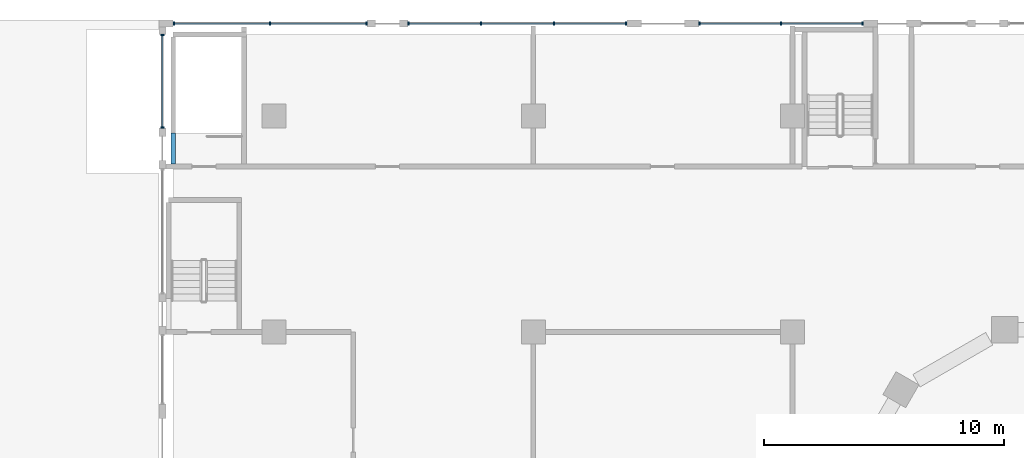
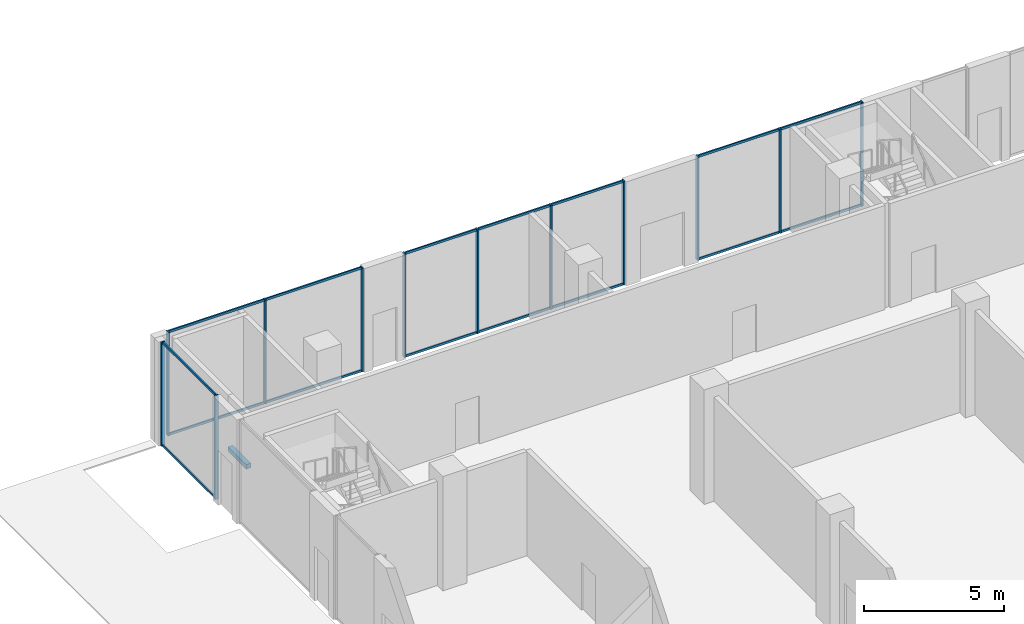
# One storey, part 12 of 57: 28 members, 1 beam, 4 elements without a shape of their own.
"""IFC4 building model written with IfcOpenShell, lengths in metres."""

from ifc_helpers import new_model, si_unit, direction, frame, origin, origin_2d, place, context, subcontext, project, spatial, rectangle, hollow_rectangle, extrude, material, material_profile, profile_set, type_object, element, aggregate, save


model = new_model("IFC4")

# Units and contexts
model_context = context("Model", 3, precision=1e-05, world=origin(), true_north=direction((0.0, 1.0)))
body_context = subcontext(model_context, "Body", "Model", "MODEL_VIEW")
ifc_project = project(units=[si_unit("LENGTHUNIT", "METRE"), si_unit("AREAUNIT", "SQUARE_METRE"), si_unit("VOLUMEUNIT", "CUBIC_METRE"), si_unit("PLANEANGLEUNIT", "RADIAN"), si_unit("MASSUNIT", "GRAM", prefix="KILO")], contexts=[model_context])

# Site, building, storey
site_placement = place(None, origin())
site = spatial("IfcSite", under=ifc_project, at=site_placement, CompositionType="ELEMENT")
building_placement = place(site_placement, origin())
building = spatial("IfcBuilding", under=site, at=building_placement, Name="Beryl Residences", CompositionType="ELEMENT")
storey_placement = place(building_placement, origin())
storey = spatial("IfcBuildingStorey", under=building, at=storey_placement, Name="L00", CompositionType="ELEMENT", Elevation=0.0)

# Curtain wall, members
ifc_material_1 = material(Name="Aluminium and clear glass", Category="aluminium")
curtain_wall_type = type_object("IfcCurtainWallType", Name="CW1 shopfront glazed wall", PredefinedType="NOTDEFINED", material=ifc_material_1)
curtain_wall_1_placement = place(storey_placement, origin())
curtain_wall_1 = element("IfcCurtainWall", 1, at=curtain_wall_1_placement, inside=storey, type_object=curtain_wall_type, Name="CW1 L00 N", PredefinedType="NOTDEFINED")
ifc_material_2 = material(Name="Aluminium", Category="aluminium")
ifc_material_profile_1 = material_profile(ifc_material_2, rectangle(XDim=0.06005859375, YDim=0.14990234375, at=origin_2d()))
ifc_profile_set_1 = profile_set([ifc_material_profile_1], Name="Aluminium")
member_type_1 = type_object("IfcMemberType", Name="CW1-M mullion 60 x 150 mm", PredefinedType="MULLION", material=ifc_profile_set_1)
member_1_placement = place(storey_placement, frame((-18.679931640625, 39.85009765625, 0.0), z_axis=(0.0, 0.0, 1.0), x_axis=(-1.0, 0.0, 0.0)))
member_1 = element("IfcMember", 2, at=member_1_placement, type_object=member_type_1, Name="CW1 mullion 1", PredefinedType="MULLION", context=body_context, shape_type="SweptSolid", body=[
    extrude(rectangle(XDim=0.06005859375, YDim=0.14990234375, at=origin_2d()), origin(), (0.0, 0.0, 1.0), 4.550048828125),
])
member_2_placement = place(storey_placement, frame((-22.074951171875, 39.85009765625, 0.0), z_axis=(0.0, 0.0, 1.0), x_axis=(-1.0, 0.0, 0.0)))
member_2 = element("IfcMember", 3, at=member_2_placement, type_object=member_type_1, Name="CW1 mullion 2", PredefinedType="MULLION", context=body_context, shape_type="SweptSolid", body=[
    extrude(rectangle(XDim=0.06005859375, YDim=0.14990234375, at=origin_2d()), origin(), (0.0, 0.0, 1.0), 4.550048828125),
])
member_3_placement = place(storey_placement, frame((-25.469970703125, 39.85009765625, 0.0), z_axis=(0.0, 0.0, 1.0), x_axis=(-1.0, 0.0, 0.0)))
member_3 = element("IfcMember", 4, at=member_3_placement, type_object=member_type_1, Name="CW1 mullion 3", PredefinedType="MULLION", context=body_context, shape_type="SweptSolid", body=[
    extrude(rectangle(XDim=0.06005859375, YDim=0.14990234375, at=origin_2d()), origin(), (0.0, 0.0, 1.0), 4.550048828125),
])

curtain_wall_2_placement = place(storey_placement, origin())
curtain_wall_2 = element("IfcCurtainWall", 5, at=curtain_wall_2_placement, inside=storey, type_object=curtain_wall_type, Name="CW1 L00 N", PredefinedType="NOTDEFINED")
member_4_placement = place(storey_placement, frame((-28.530029296875, 39.85009765625, 0.0), z_axis=(0.0, 0.0, 1.0), x_axis=(-1.0, 0.0, 0.0)))
member_4 = element("IfcMember", 6, at=member_4_placement, type_object=member_type_1, Name="CW1 mullion 1", PredefinedType="MULLION", context=body_context, shape_type="SweptSolid", body=[
    extrude(rectangle(XDim=0.06005859375, YDim=0.14990234375, at=origin_2d()), origin(), (0.0, 0.0, 1.0), 4.550048828125),
])
member_5_placement = place(storey_placement, frame((-31.541748046875, 39.85009765625, 0.0), z_axis=(0.0, 0.0, 1.0), x_axis=(-1.0, 0.0, 0.0)))
member_5 = element("IfcMember", 7, at=member_5_placement, type_object=member_type_1, Name="CW1 mullion 2", PredefinedType="MULLION", context=body_context, shape_type="SweptSolid", body=[
    extrude(rectangle(XDim=0.06005859375, YDim=0.14990234375, at=origin_2d()), origin(), (0.0, 0.0, 1.0), 4.550048828125),
])
member_6_placement = place(storey_placement, frame((-34.583251953125, 39.85009765625, 0.0), z_axis=(0.0, 0.0, 1.0), x_axis=(-1.0, 0.0, 0.0)))
member_6 = element("IfcMember", 8, at=member_6_placement, type_object=member_type_1, Name="CW1 mullion 3", PredefinedType="MULLION", context=body_context, shape_type="SweptSolid", body=[
    extrude(rectangle(XDim=0.06005859375, YDim=0.14990234375, at=origin_2d()), origin(), (0.0, 0.0, 1.0), 4.550048828125),
])
member_7_placement = place(storey_placement, frame((-37.594970703125, 39.85009765625, 0.0), z_axis=(0.0, 0.0, 1.0), x_axis=(-1.0, 0.0, 0.0)))
member_7 = element("IfcMember", 9, at=member_7_placement, type_object=member_type_1, Name="CW1 mullion 4", PredefinedType="MULLION", context=body_context, shape_type="SweptSolid", body=[
    extrude(rectangle(XDim=0.06005859375, YDim=0.14990234375, at=origin_2d()), origin(), (0.0, 0.0, 1.0), 4.550048828125),
])

curtain_wall_3_placement = place(storey_placement, origin())
curtain_wall_3 = element("IfcCurtainWall", 10, at=curtain_wall_3_placement, inside=storey, type_object=curtain_wall_type, Name="CW1 L00 N", PredefinedType="NOTDEFINED")
member_8_placement = place(storey_placement, frame((-39.35498046875, 39.85009765625, 0.0), z_axis=(0.0, 0.0, 1.0), x_axis=(-1.0, 0.0, 0.0)))
member_8 = element("IfcMember", 11, at=member_8_placement, type_object=member_type_1, Name="CW1 mullion 1", PredefinedType="MULLION", context=body_context, shape_type="SweptSolid", body=[
    extrude(rectangle(XDim=0.06005859375, YDim=0.14990234375, at=origin_2d()), origin(), (0.0, 0.0, 1.0), 4.550048828125),
])
member_9_placement = place(storey_placement, frame((-43.362548828125, 39.85009765625, 0.0), z_axis=(0.0, 0.0, 1.0), x_axis=(-1.0, 0.0, 0.0)))
member_9 = element("IfcMember", 12, at=member_9_placement, type_object=member_type_1, Name="CW1 mullion 2", PredefinedType="MULLION", context=body_context, shape_type="SweptSolid", body=[
    extrude(rectangle(XDim=0.06005859375, YDim=0.14990234375, at=origin_2d()), origin(), (0.0, 0.0, 1.0), 4.550048828125),
])
member_10_placement = place(storey_placement, frame((-47.3701171875, 39.85009765625, 0.0), z_axis=(0.0, 0.0, 1.0), x_axis=(-1.0, 0.0, 0.0)))
member_10 = element("IfcMember", 13, at=member_10_placement, type_object=member_type_1, Name="CW1 mullion 3", PredefinedType="MULLION", context=body_context, shape_type="SweptSolid", body=[
    extrude(rectangle(XDim=0.06005859375, YDim=0.14990234375, at=origin_2d()), origin(), (0.0, 0.0, 1.0), 4.550048828125),
])

curtain_wall_4_placement = place(storey_placement, origin())
curtain_wall_4 = element("IfcCurtainWall", 14, at=curtain_wall_4_placement, inside=storey, type_object=curtain_wall_type, Name="CW1 L00 W", PredefinedType="NOTDEFINED")
member_11_placement = place(storey_placement, frame((-47.85009765625, 39.3701171875, 0.0), z_axis=(0.0, 0.0, 1.0), x_axis=(0.0, -1.0, 0.0)))
member_11 = element("IfcMember", 15, at=member_11_placement, type_object=member_type_1, Name="CW1 mullion 1", PredefinedType="MULLION", context=body_context, shape_type="SweptSolid", body=[
    extrude(rectangle(XDim=0.06005859375, YDim=0.14990234375, at=origin_2d()), origin(), (0.0, 0.0, 1.0), 4.550048828125),
])
member_12_placement = place(storey_placement, frame((-47.85009765625, 35.530029296875, 0.0), z_axis=(0.0, 0.0, 1.0), x_axis=(0.0, -1.0, 0.0)))
member_12 = element("IfcMember", 16, at=member_12_placement, type_object=member_type_1, Name="CW1 mullion 2", PredefinedType="MULLION", context=body_context, shape_type="SweptSolid", body=[
    extrude(rectangle(XDim=0.06005859375, YDim=0.14990234375, at=origin_2d()), origin(), (0.0, 0.0, 1.0), 4.550048828125),
])

# Member
ifc_material_3 = material(Name="Aluminium", Category="aluminium")
ifc_material_profile_2 = material_profile(ifc_material_3, hollow_rectangle(XDim=0.06005859375, YDim=0.10009765625, WallThickness=0.00390625, at=origin_2d()))
ifc_profile_set_2 = profile_set([ifc_material_profile_2], Name="Aluminium")
member_type_2 = type_object("IfcMemberType", Name="CW1-T transom 60 x 100 mm", PredefinedType="USERDEFINED", material=ifc_profile_set_2)
member_13_placement = place(storey_placement, frame((-18.7099609375, 39.85009765625, 0.030029296875), z_axis=(-1.0, 0.0, 0.0), x_axis=(0.0, -1.0, 0.0)))
member_13 = element("IfcMember", 17, at=member_13_placement, type_object=member_type_2, Name="CW1 transom 1.1", ObjectType="TRANSOM", PredefinedType="USERDEFINED", context=body_context, shape_type="SweptSolid", body=[
    extrude(hollow_rectangle(XDim=0.06005859375, YDim=0.10009765625, WallThickness=0.00390625, at=origin_2d()), origin(), (0.0, 0.0, 1.0), 3.3349609375),
])

member_14_placement = place(storey_placement, frame((-18.7099609375, 39.85009765625, 4.52001953125), z_axis=(-1.0, 0.0, 0.0), x_axis=(0.0, -1.0, 0.0)))
member_14 = element("IfcMember", 18, at=member_14_placement, type_object=member_type_2, Name="CW1 transom 1.2", ObjectType="TRANSOM", PredefinedType="USERDEFINED", context=body_context, shape_type="SweptSolid", body=[
    extrude(hollow_rectangle(XDim=0.06005859375, YDim=0.10009765625, WallThickness=0.00390625, at=origin_2d()), origin(), (0.0, 0.0, 1.0), 3.3349609375),
])

member_15_placement = place(storey_placement, frame((-22.10498046875, 39.85009765625, 0.030029296875), z_axis=(-1.0, 0.0, 0.0), x_axis=(0.0, -1.0, 0.0)))
member_15 = element("IfcMember", 19, at=member_15_placement, type_object=member_type_2, Name="CW1 transom 2.1", ObjectType="TRANSOM", PredefinedType="USERDEFINED", context=body_context, shape_type="SweptSolid", body=[
    extrude(hollow_rectangle(XDim=0.06005859375, YDim=0.10009765625, WallThickness=0.00390625, at=origin_2d()), origin(), (0.0, 0.0, 1.0), 3.3349609375),
])

member_16_placement = place(storey_placement, frame((-22.10498046875, 39.85009765625, 4.52001953125), z_axis=(-1.0, 0.0, 0.0), x_axis=(0.0, -1.0, 0.0)))
member_16 = element("IfcMember", 20, at=member_16_placement, type_object=member_type_2, Name="CW1 transom 2.2", ObjectType="TRANSOM", PredefinedType="USERDEFINED", context=body_context, shape_type="SweptSolid", body=[
    extrude(hollow_rectangle(XDim=0.06005859375, YDim=0.10009765625, WallThickness=0.00390625, at=origin_2d()), origin(), (0.0, 0.0, 1.0), 3.3349609375),
])

aggregate(curtain_wall_1, [member_1, member_2, member_3, member_13, member_14, member_15, member_16])

member_17_placement = place(storey_placement, frame((-28.56005859375, 39.85009765625, 0.030029296875), z_axis=(-1.0, 0.0, 0.0), x_axis=(0.0, -1.0, 0.0)))
member_17 = element("IfcMember", 21, at=member_17_placement, type_object=member_type_2, Name="CW1 transom 1.1", ObjectType="TRANSOM", PredefinedType="USERDEFINED", context=body_context, shape_type="SweptSolid", body=[
    extrude(hollow_rectangle(XDim=0.06005859375, YDim=0.10009765625, WallThickness=0.00390625, at=origin_2d()), origin(), (0.0, 0.0, 1.0), 2.95166015625),
])

member_18_placement = place(storey_placement, frame((-28.56005859375, 39.85009765625, 4.52001953125), z_axis=(-1.0, 0.0, 0.0), x_axis=(0.0, -1.0, 0.0)))
member_18 = element("IfcMember", 22, at=member_18_placement, type_object=member_type_2, Name="CW1 transom 1.2", ObjectType="TRANSOM", PredefinedType="USERDEFINED", context=body_context, shape_type="SweptSolid", body=[
    extrude(hollow_rectangle(XDim=0.06005859375, YDim=0.10009765625, WallThickness=0.00390625, at=origin_2d()), origin(), (0.0, 0.0, 1.0), 2.95166015625),
])

member_19_placement = place(storey_placement, frame((-31.57177734375, 39.85009765625, 0.030029296875), z_axis=(-1.0, 0.0, 0.0), x_axis=(0.0, -1.0, 0.0)))
member_19 = element("IfcMember", 23, at=member_19_placement, type_object=member_type_2, Name="CW1 transom 2.1", ObjectType="TRANSOM", PredefinedType="USERDEFINED", context=body_context, shape_type="SweptSolid", body=[
    extrude(hollow_rectangle(XDim=0.06005859375, YDim=0.10009765625, WallThickness=0.00390625, at=origin_2d()), origin(), (0.0, 0.0, 1.0), 2.9814453125),
])

member_20_placement = place(storey_placement, frame((-31.57177734375, 39.85009765625, 4.52001953125), z_axis=(-1.0, 0.0, 0.0), x_axis=(0.0, -1.0, 0.0)))
member_20 = element("IfcMember", 24, at=member_20_placement, type_object=member_type_2, Name="CW1 transom 2.2", ObjectType="TRANSOM", PredefinedType="USERDEFINED", context=body_context, shape_type="SweptSolid", body=[
    extrude(hollow_rectangle(XDim=0.06005859375, YDim=0.10009765625, WallThickness=0.00390625, at=origin_2d()), origin(), (0.0, 0.0, 1.0), 2.9814453125),
])

member_21_placement = place(storey_placement, frame((-34.61328125, 39.85009765625, 0.030029296875), z_axis=(-1.0, 0.0, 0.0), x_axis=(0.0, -1.0, 0.0)))
member_21 = element("IfcMember", 25, at=member_21_placement, type_object=member_type_2, Name="CW1 transom 3.1", ObjectType="TRANSOM", PredefinedType="USERDEFINED", context=body_context, shape_type="SweptSolid", body=[
    extrude(hollow_rectangle(XDim=0.06005859375, YDim=0.10009765625, WallThickness=0.00390625, at=origin_2d()), origin(), (0.0, 0.0, 1.0), 2.95166015625),
])

member_22_placement = place(storey_placement, frame((-34.61328125, 39.85009765625, 4.52001953125), z_axis=(-1.0, 0.0, 0.0), x_axis=(0.0, -1.0, 0.0)))
member_22 = element("IfcMember", 26, at=member_22_placement, type_object=member_type_2, Name="CW1 transom 3.2", ObjectType="TRANSOM", PredefinedType="USERDEFINED", context=body_context, shape_type="SweptSolid", body=[
    extrude(hollow_rectangle(XDim=0.06005859375, YDim=0.10009765625, WallThickness=0.00390625, at=origin_2d()), origin(), (0.0, 0.0, 1.0), 2.95166015625),
])

aggregate(curtain_wall_2, [member_4, member_5, member_6, member_7, member_17, member_18, member_19, member_20, member_21, member_22])

member_23_placement = place(storey_placement, frame((-39.385009765625, 39.85009765625, 0.030029296875), z_axis=(-1.0, 0.0, 0.0), x_axis=(0.0, -1.0, 0.0)))
member_23 = element("IfcMember", 27, at=member_23_placement, type_object=member_type_2, Name="CW1 transom 1.1", ObjectType="TRANSOM", PredefinedType="USERDEFINED", context=body_context, shape_type="SweptSolid", body=[
    extrude(hollow_rectangle(XDim=0.06005859375, YDim=0.10009765625, WallThickness=0.00390625, at=origin_2d()), origin(), (0.0, 0.0, 1.0), 3.947509765625),
])

member_24_placement = place(storey_placement, frame((-39.385009765625, 39.85009765625, 4.52001953125), z_axis=(-1.0, 0.0, 0.0), x_axis=(0.0, -1.0, 0.0)))
member_24 = element("IfcMember", 28, at=member_24_placement, type_object=member_type_2, Name="CW1 transom 1.2", ObjectType="TRANSOM", PredefinedType="USERDEFINED", context=body_context, shape_type="SweptSolid", body=[
    extrude(hollow_rectangle(XDim=0.06005859375, YDim=0.10009765625, WallThickness=0.00390625, at=origin_2d()), origin(), (0.0, 0.0, 1.0), 3.947509765625),
])

member_25_placement = place(storey_placement, frame((-43.392578125, 39.85009765625, 0.030029296875), z_axis=(-1.0, 0.0, 0.0), x_axis=(0.0, -1.0, 0.0)))
member_25 = element("IfcMember", 29, at=member_25_placement, type_object=member_type_2, Name="CW1 transom 2.1", ObjectType="TRANSOM", PredefinedType="USERDEFINED", context=body_context, shape_type="SweptSolid", body=[
    extrude(hollow_rectangle(XDim=0.06005859375, YDim=0.10009765625, WallThickness=0.00390625, at=origin_2d()), origin(), (0.0, 0.0, 1.0), 3.947509765625),
])

member_26_placement = place(storey_placement, frame((-43.392578125, 39.85009765625, 4.52001953125), z_axis=(-1.0, 0.0, 0.0), x_axis=(0.0, -1.0, 0.0)))
member_26 = element("IfcMember", 30, at=member_26_placement, type_object=member_type_2, Name="CW1 transom 2.2", ObjectType="TRANSOM", PredefinedType="USERDEFINED", context=body_context, shape_type="SweptSolid", body=[
    extrude(hollow_rectangle(XDim=0.06005859375, YDim=0.10009765625, WallThickness=0.00390625, at=origin_2d()), origin(), (0.0, 0.0, 1.0), 3.947509765625),
])

aggregate(curtain_wall_3, [member_8, member_9, member_10, member_23, member_24, member_25, member_26])

member_27_placement = place(storey_placement, frame((-47.85009765625, 39.340087890625, 0.030029296875), z_axis=(0.0, -1.0, 0.0), x_axis=(1.0, 0.0, 0.0)))
member_27 = element("IfcMember", 31, at=member_27_placement, type_object=member_type_2, Name="CW1 transom 1.1", ObjectType="TRANSOM", PredefinedType="USERDEFINED", context=body_context, shape_type="SweptSolid", body=[
    extrude(hollow_rectangle(XDim=0.06005859375, YDim=0.10009765625, WallThickness=0.00390625, at=origin_2d()), origin(), (0.0, 0.0, 1.0), 3.780029296875),
])

member_28_placement = place(storey_placement, frame((-47.85009765625, 39.340087890625, 4.52001953125), z_axis=(0.0, -1.0, 0.0), x_axis=(1.0, 0.0, 0.0)))
member_28 = element("IfcMember", 32, at=member_28_placement, type_object=member_type_2, Name="CW1 transom 1.2", ObjectType="TRANSOM", PredefinedType="USERDEFINED", context=body_context, shape_type="SweptSolid", body=[
    extrude(hollow_rectangle(XDim=0.06005859375, YDim=0.10009765625, WallThickness=0.00390625, at=origin_2d()), origin(), (0.0, 0.0, 1.0), 3.780029296875),
])

aggregate(curtain_wall_4, [member_11, member_12, member_27, member_28])

# Beam
ifc_material_4 = material(Name="Concrete C40/50", Category="concrete")
ifc_material_profile_3 = material_profile(ifc_material_4, rectangle(XDim=0.199951171875, YDim=0.199951171875, at=origin_2d()))
ifc_profile_set_3 = profile_set([ifc_material_profile_3], Name="Concrete C40/50")
beam_type = type_object("IfcBeamType", Name="LB1 lintel beam 200 x 200 mm Concrete C40/50", PredefinedType="LINTEL", material=ifc_profile_set_3)
beam_placement = place(storey_placement, frame((-47.39990234375, 34.0, 2.199951171875), z_axis=(0.0, 1.0, 0.0), x_axis=(-1.0, 0.0, 0.0)))
element("IfcBeam", 33, at=beam_placement, inside=storey, type_object=beam_type, Name="LB1 L00 stair door lintel", PredefinedType="LINTEL", context=body_context, shape_type="SweptSolid", body=[
    extrude(rectangle(XDim=0.199951171875, YDim=0.199951171875, at=origin_2d()), origin(), (0.0, 0.0, 1.0), 1.300048828125),
])

save(model, "model.ifc")
